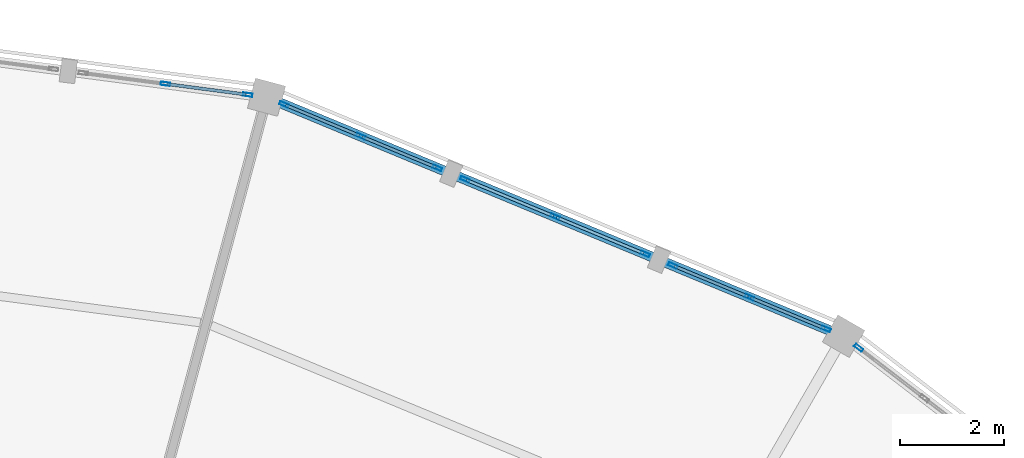
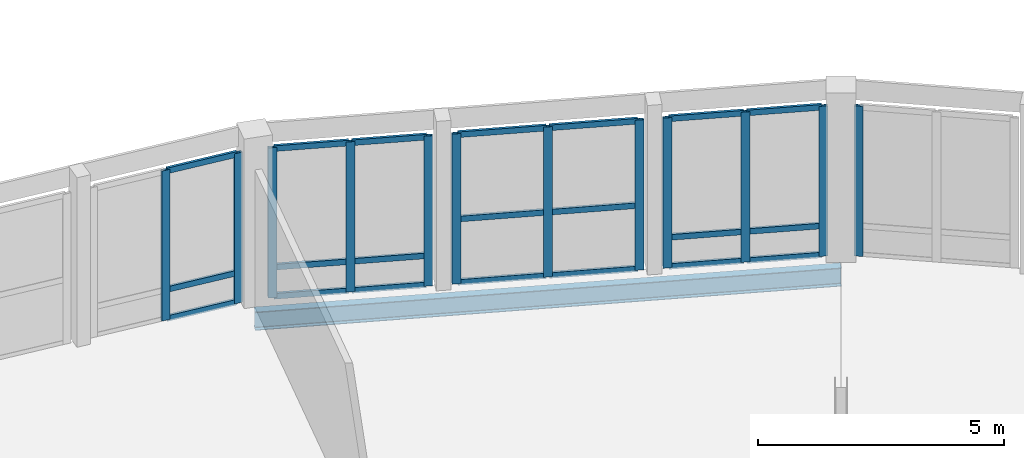
# One storey, part 96 of 185: 33 members, 1 beam, 5 elements without a shape of their own.
"""IFC4 building model written with IfcOpenShell, lengths in metres."""

from ifc_helpers import new_model, si_unit, direction, frame, origin, origin_2d, place, context, subcontext, project, spatial, hollow_rectangle, i_section, extrude, material, material_profile, profile_set, type_object, element, aggregate, save


model = new_model("IFC4")

# Units and contexts
model_context = context("Model", 3, precision=1e-05, world=origin(), true_north=direction((0.0, 1.0)))
body_context = subcontext(model_context, "Body", "Model", "MODEL_VIEW")
ifc_project = project(units=[si_unit("LENGTHUNIT", "METRE"), si_unit("AREAUNIT", "SQUARE_METRE"), si_unit("VOLUMEUNIT", "CUBIC_METRE"), si_unit("PLANEANGLEUNIT", "RADIAN"), si_unit("MASSUNIT", "GRAM", prefix="KILO")], contexts=[model_context])

# Site, building, storey
site_placement = place(None, origin())
site = spatial("IfcSite", under=ifc_project, at=site_placement, CompositionType="ELEMENT")
building_placement = place(site_placement, origin())
building = spatial("IfcBuilding", under=site, at=building_placement, Name="Vondelvale Polytechnic", CompositionType="ELEMENT")
storey_placement = place(building_placement, frame((0.0, 0.0, 9.60009765625)))
storey = spatial("IfcBuildingStorey", under=building, at=storey_placement, Name="L02", CompositionType="ELEMENT", Elevation=9.60009765625)

# Beam
ifc_material_1 = material(Name="Steel 300PLUS (fy = 300 MPa)", Category="steel")
ifc_material_profile_1 = material_profile(ifc_material_1, i_section(OverallWidth=0.18994140625, OverallDepth=0.45703125, WebThickness=0.009033203125, FlangeThickness=0.014404296875, FilletRadius=0.011474609375, at=origin_2d()), Name="460UB74.6")
ifc_profile_set_1 = profile_set([ifc_material_profile_1], Name="Steel 300PLUS (fy = 300 MPa)")
beam_type = type_object("IfcBeamType", Name="BM-UB460", PredefinedType="BEAM", material=ifc_profile_set_1)
beam_placement = place(storey_placement, frame((125.0, 111.837158203125, -0.508544921875), z_axis=(-0.923877323614, 0.382688765072, 0.0), x_axis=(-0.382688765072, -0.923877323614, 0.0)))
element("IfcBeam", 1, at=beam_placement, inside=storey, type_object=beam_type, Name="L02 RB B-13", PredefinedType="BEAM", context=body_context, shape_type="SweptSolid", body=[
    extrude(i_section(OverallWidth=0.18994140625, OverallDepth=0.45703125, WebThickness=0.009033203125, FlangeThickness=0.014404296875, FilletRadius=0.011474609375, at=origin_2d()), origin(), (0.0, 0.0, 1.0), 12.00830078125),
])

# Curtain wall, member
ifc_material_2 = material(Name="Glulam GL18 structural Tasmanian oak (fb = 42 MPa)", Category="wood")
curtain_wall_type = type_object("IfcCurtainWallType", Name="CW-RING-OUTER", PredefinedType="NOTDEFINED", material=ifc_material_2)
curtain_wall_1_placement = place(storey_placement, origin())
curtain_wall_1 = element("IfcCurtainWall", 2, at=curtain_wall_1_placement, inside=storey, type_object=curtain_wall_type, Name="L02 architectural curtain wall CW-04-107", PredefinedType="NOTDEFINED")
ifc_material_3 = material(Name="Anodised extruded aluminium 6063-T6", Category="aluminium")
ifc_material_profile_2 = material_profile(ifc_material_3, hollow_rectangle(XDim=0.06494140625, YDim=0.179931640625, WallThickness=0.00390625, at=origin_2d()), Name="CW-MUL-180x65")
ifc_profile_set_2 = profile_set([ifc_material_profile_2], Name="Anodised extruded aluminium 6063-T6")
member_type_1 = type_object("IfcMemberType", Name="CW-MUL-65x180", PredefinedType="MULLION", material=ifc_profile_set_2)
member_1_placement = place(storey_placement, frame((125.289794921875, 111.614990234375, 0.0), z_axis=(0.0, 0.0, 1.0), x_axis=(-0.608786860133, -0.793333825656, 0.0)))
member_1 = element("IfcMember", 3, at=member_1_placement, type_object=member_type_1, Name="CW-04-107 mullion 3", PredefinedType="MULLION", context=body_context, shape_type="SweptSolid", body=[
    extrude(hollow_rectangle(XDim=0.06494140625, YDim=0.179931640625, WallThickness=0.00390625, at=origin_2d()), origin(), (0.0, 0.0, 1.0), 3.719970703125),
])
aggregate(curtain_wall_1, [member_1])

# Curtain wall, members
curtain_wall_2_placement = place(storey_placement, origin())
curtain_wall_2 = element("IfcCurtainWall", 4, at=curtain_wall_2_placement, inside=storey, type_object=curtain_wall_type, Name="L02 architectural curtain wall CW-04-120", PredefinedType="NOTDEFINED")
member_2_placement = place(storey_placement, frame((124.66259765625, 111.97705078125, 0.0), z_axis=(0.0, 0.0, 1.0), x_axis=(-0.382677394529, -0.923882033442, 0.0)))
member_2 = element("IfcMember", 5, at=member_2_placement, type_object=member_type_1, Name="CW-04-120 mullion 1", PredefinedType="MULLION", context=body_context, shape_type="SweptSolid", body=[
    extrude(hollow_rectangle(XDim=0.06494140625, YDim=0.179931640625, WallThickness=0.00390625, at=origin_2d()), origin(), (0.0, 0.0, 1.0), 3.719970703125),
])
member_3_placement = place(storey_placement, frame((123.18896484375, 112.58740234375, 0.0), z_axis=(0.0, 0.0, 1.0), x_axis=(-0.382677394529, -0.923882033442, 0.0)))
member_3 = element("IfcMember", 6, at=member_3_placement, type_object=member_type_1, Name="CW-04-120 mullion 2", PredefinedType="MULLION", context=body_context, shape_type="SweptSolid", body=[
    extrude(hollow_rectangle(XDim=0.06494140625, YDim=0.179931640625, WallThickness=0.00390625, at=origin_2d()), origin(), (0.0, 0.0, 1.0), 3.719970703125),
])
member_4_placement = place(storey_placement, frame((121.71533203125, 113.19775390625, 0.0), z_axis=(0.0, 0.0, 1.0), x_axis=(-0.382677394529, -0.923882033442, 0.0)))
member_4 = element("IfcMember", 7, at=member_4_placement, type_object=member_type_1, Name="CW-04-120 mullion 3", PredefinedType="MULLION", context=body_context, shape_type="SweptSolid", body=[
    extrude(hollow_rectangle(XDim=0.06494140625, YDim=0.179931640625, WallThickness=0.00390625, at=origin_2d()), origin(), (0.0, 0.0, 1.0), 3.719970703125),
])

curtain_wall_3_placement = place(storey_placement, origin())
curtain_wall_3 = element("IfcCurtainWall", 8, at=curtain_wall_3_placement, inside=storey, type_object=curtain_wall_type, Name="L02 architectural curtain wall CW-04-121", PredefinedType="NOTDEFINED")
member_5_placement = place(storey_placement, frame((121.18408203125, 113.417724609375, 0.0), z_axis=(0.0, 0.0, 1.0), x_axis=(-0.382694599123, -0.92387490701, 0.0)))
member_5 = element("IfcMember", 9, at=member_5_placement, type_object=member_type_1, Name="CW-04-121 mullion 1", PredefinedType="MULLION", context=body_context, shape_type="SweptSolid", body=[
    extrude(hollow_rectangle(XDim=0.06494140625, YDim=0.179931640625, WallThickness=0.00390625, at=origin_2d()), origin(), (0.0, 0.0, 1.0), 3.719970703125),
])
member_6_placement = place(storey_placement, frame((119.452880859375, 114.135009765625, 0.0), z_axis=(0.0, 0.0, 1.0), x_axis=(-0.382694599123, -0.92387490701, 0.0)))
member_6 = element("IfcMember", 10, at=member_6_placement, type_object=member_type_1, Name="CW-04-121 mullion 2", PredefinedType="MULLION", context=body_context, shape_type="SweptSolid", body=[
    extrude(hollow_rectangle(XDim=0.06494140625, YDim=0.179931640625, WallThickness=0.00390625, at=origin_2d()), origin(), (0.0, 0.0, 1.0), 3.719970703125),
])
member_7_placement = place(storey_placement, frame((117.721435546875, 114.85205078125, 0.0), z_axis=(0.0, 0.0, 1.0), x_axis=(-0.382694599123, -0.92387490701, 0.0)))
member_7 = element("IfcMember", 11, at=member_7_placement, type_object=member_type_1, Name="CW-04-121 mullion 3", PredefinedType="MULLION", context=body_context, shape_type="SweptSolid", body=[
    extrude(hollow_rectangle(XDim=0.06494140625, YDim=0.179931640625, WallThickness=0.00390625, at=origin_2d()), origin(), (0.0, 0.0, 1.0), 3.719970703125),
])

curtain_wall_4_placement = place(storey_placement, origin())
curtain_wall_4 = element("IfcCurtainWall", 12, at=curtain_wall_4_placement, inside=storey, type_object=curtain_wall_type, Name="L02 architectural curtain wall CW-04-122", PredefinedType="NOTDEFINED")
member_8_placement = place(storey_placement, frame((117.190185546875, 115.072021484375, 0.0), z_axis=(0.0, 0.0, 1.0), x_axis=(-0.382677394529, -0.923882033442, 0.0)))
member_8 = element("IfcMember", 13, at=member_8_placement, type_object=member_type_1, Name="CW-04-122 mullion 1", PredefinedType="MULLION", context=body_context, shape_type="SweptSolid", body=[
    extrude(hollow_rectangle(XDim=0.06494140625, YDim=0.179931640625, WallThickness=0.00390625, at=origin_2d()), origin(), (0.0, 0.0, 1.0), 3.719970703125),
])
member_9_placement = place(storey_placement, frame((115.716796875, 115.6826171875, 0.0), z_axis=(0.0, 0.0, 1.0), x_axis=(-0.382677394529, -0.923882033442, 0.0)))
member_9 = element("IfcMember", 14, at=member_9_placement, type_object=member_type_1, Name="CW-04-122 mullion 2", PredefinedType="MULLION", context=body_context, shape_type="SweptSolid", body=[
    extrude(hollow_rectangle(XDim=0.06494140625, YDim=0.179931640625, WallThickness=0.00390625, at=origin_2d()), origin(), (0.0, 0.0, 1.0), 3.719970703125),
])
member_10_placement = place(storey_placement, frame((114.2431640625, 116.29296875, 0.0), z_axis=(0.0, 0.0, 1.0), x_axis=(-0.382677394529, -0.923882033442, 0.0)))
member_10 = element("IfcMember", 15, at=member_10_placement, type_object=member_type_1, Name="CW-04-122 mullion 3", PredefinedType="MULLION", context=body_context, shape_type="SweptSolid", body=[
    extrude(hollow_rectangle(XDim=0.06494140625, YDim=0.179931640625, WallThickness=0.00390625, at=origin_2d()), origin(), (0.0, 0.0, 1.0), 3.719970703125),
])

curtain_wall_5_placement = place(storey_placement, origin())
curtain_wall_5 = element("IfcCurtainWall", 16, at=curtain_wall_5_placement, inside=storey, type_object=curtain_wall_type, Name="L02 architectural curtain wall CW-04-140", PredefinedType="NOTDEFINED")
member_11_placement = place(storey_placement, frame((113.54345703125, 116.480224609375, 0.0), z_axis=(0.0, 0.0, 1.0), x_axis=(-0.130539547729, -0.991443102996, 0.0)))
member_11 = element("IfcMember", 17, at=member_11_placement, type_object=member_type_1, Name="CW-04-140 mullion 1", PredefinedType="MULLION", context=body_context, shape_type="SweptSolid", body=[
    extrude(hollow_rectangle(XDim=0.06494140625, YDim=0.179931640625, WallThickness=0.00390625, at=origin_2d()), origin(), (0.0, 0.0, 1.0), 3.719970703125),
])
member_12_placement = place(storey_placement, frame((111.962158203125, 116.6884765625, 0.0), z_axis=(0.0, 0.0, 1.0), x_axis=(-0.130539547729, -0.991443102996, 0.0)))
member_12 = element("IfcMember", 18, at=member_12_placement, type_object=member_type_1, Name="CW-04-140 mullion 2", PredefinedType="MULLION", context=body_context, shape_type="SweptSolid", body=[
    extrude(hollow_rectangle(XDim=0.06494140625, YDim=0.179931640625, WallThickness=0.00390625, at=origin_2d()), origin(), (0.0, 0.0, 1.0), 3.719970703125),
])

# Member
ifc_material_profile_3 = material_profile(ifc_material_3, hollow_rectangle(XDim=0.06005859375, YDim=0.139892578125, WallThickness=0.00341796875, at=origin_2d()), Name="CW-TRN-140x60")
ifc_profile_set_3 = profile_set([ifc_material_profile_3], Name="Anodised extruded aluminium 6063-T6")
member_type_2 = type_object("IfcMemberType", Name="CW-TRN-60x140", PredefinedType="USERDEFINED", material=ifc_profile_set_3)
member_13_placement = place(storey_placement, frame((124.632568359375, 111.9892578125, 0.02978515625), z_axis=(-0.923839843027, 0.382779237206, 0.0), x_axis=(-0.382779237206, -0.923839843027, 0.0)))
member_13 = element("IfcMember", 19, at=member_13_placement, type_object=member_type_2, Name="CW-04-120 transom 1.1", ObjectType="TRANSOM", PredefinedType="USERDEFINED", context=body_context, shape_type="SweptSolid", body=[
    extrude(hollow_rectangle(XDim=0.06005859375, YDim=0.139892578125, WallThickness=0.00341796875, at=origin_2d()), origin(), (0.0, 0.0, 1.0), 1.530029296875),
])

member_14_placement = place(storey_placement, frame((124.632568359375, 111.9892578125, 0.75), z_axis=(-0.923839843027, 0.382779237206, 0.0), x_axis=(-0.382779237206, -0.923839843027, 0.0)))
member_14 = element("IfcMember", 20, at=member_14_placement, type_object=member_type_2, Name="CW-04-120 transom 1.2", ObjectType="TRANSOM", PredefinedType="USERDEFINED", context=body_context, shape_type="SweptSolid", body=[
    extrude(hollow_rectangle(XDim=0.06005859375, YDim=0.139892578125, WallThickness=0.00341796875, at=origin_2d()), origin(), (0.0, 0.0, 1.0), 1.530029296875),
])

member_15_placement = place(storey_placement, frame((124.632568359375, 111.9892578125, 3.68994140625), z_axis=(-0.923839843027, 0.382779237206, 0.0), x_axis=(-0.382779237206, -0.923839843027, 0.0)))
member_15 = element("IfcMember", 21, at=member_15_placement, type_object=member_type_2, Name="CW-04-120 transom 1.3", ObjectType="TRANSOM", PredefinedType="USERDEFINED", context=body_context, shape_type="SweptSolid", body=[
    extrude(hollow_rectangle(XDim=0.06005859375, YDim=0.139892578125, WallThickness=0.00341796875, at=origin_2d()), origin(), (0.0, 0.0, 1.0), 1.530029296875),
])

member_16_placement = place(storey_placement, frame((123.158935546875, 112.599853515625, 0.02978515625), z_axis=(-0.923896260346, 0.382643045304, 0.0), x_axis=(-0.382643045304, -0.923896260346, 0.0)))
member_16 = element("IfcMember", 22, at=member_16_placement, type_object=member_type_2, Name="CW-04-120 transom 2.1", ObjectType="TRANSOM", PredefinedType="USERDEFINED", context=body_context, shape_type="SweptSolid", body=[
    extrude(hollow_rectangle(XDim=0.06005859375, YDim=0.139892578125, WallThickness=0.00341796875, at=origin_2d()), origin(), (0.0, 0.0, 1.0), 1.530029296875),
])

member_17_placement = place(storey_placement, frame((123.158935546875, 112.599853515625, 0.75), z_axis=(-0.923896260346, 0.382643045304, 0.0), x_axis=(-0.382643045304, -0.923896260346, 0.0)))
member_17 = element("IfcMember", 23, at=member_17_placement, type_object=member_type_2, Name="CW-04-120 transom 2.2", ObjectType="TRANSOM", PredefinedType="USERDEFINED", context=body_context, shape_type="SweptSolid", body=[
    extrude(hollow_rectangle(XDim=0.06005859375, YDim=0.139892578125, WallThickness=0.00341796875, at=origin_2d()), origin(), (0.0, 0.0, 1.0), 1.530029296875),
])

member_18_placement = place(storey_placement, frame((123.158935546875, 112.599853515625, 3.68994140625), z_axis=(-0.923896260346, 0.382643045304, 0.0), x_axis=(-0.382643045304, -0.923896260346, 0.0)))
member_18 = element("IfcMember", 24, at=member_18_placement, type_object=member_type_2, Name="CW-04-120 transom 2.3", ObjectType="TRANSOM", PredefinedType="USERDEFINED", context=body_context, shape_type="SweptSolid", body=[
    extrude(hollow_rectangle(XDim=0.06005859375, YDim=0.139892578125, WallThickness=0.00341796875, at=origin_2d()), origin(), (0.0, 0.0, 1.0), 1.530029296875),
])

aggregate(curtain_wall_2, [member_2, member_3, member_4, member_13, member_14, member_15, member_16, member_17, member_18])

member_19_placement = place(storey_placement, frame((121.154052734375, 113.43017578125, 0.02978515625), z_axis=(-0.92384573676, 0.382765012338, 0.0), x_axis=(-0.382765012338, -0.92384573676, 0.0)))
member_19 = element("IfcMember", 25, at=member_19_placement, type_object=member_type_2, Name="CW-04-121 transom 1.1", ObjectType="TRANSOM", PredefinedType="USERDEFINED", context=body_context, shape_type="SweptSolid", body=[
    extrude(hollow_rectangle(XDim=0.06005859375, YDim=0.139892578125, WallThickness=0.00341796875, at=origin_2d()), origin(), (0.0, 0.0, 1.0), 1.808837890625),
])

member_20_placement = place(storey_placement, frame((121.154052734375, 113.43017578125, 1.599853515625), z_axis=(-0.92384573676, 0.382765012338, 0.0), x_axis=(-0.382765012338, -0.92384573676, 0.0)))
member_20 = element("IfcMember", 26, at=member_20_placement, type_object=member_type_2, Name="CW-04-121 transom 1.2", ObjectType="TRANSOM", PredefinedType="USERDEFINED", context=body_context, shape_type="SweptSolid", body=[
    extrude(hollow_rectangle(XDim=0.06005859375, YDim=0.139892578125, WallThickness=0.00341796875, at=origin_2d()), origin(), (0.0, 0.0, 1.0), 1.808837890625),
])

member_21_placement = place(storey_placement, frame((121.154052734375, 113.43017578125, 3.68994140625), z_axis=(-0.92384573676, 0.382765012338, 0.0), x_axis=(-0.382765012338, -0.92384573676, 0.0)))
member_21 = element("IfcMember", 27, at=member_21_placement, type_object=member_type_2, Name="CW-04-121 transom 1.3", ObjectType="TRANSOM", PredefinedType="USERDEFINED", context=body_context, shape_type="SweptSolid", body=[
    extrude(hollow_rectangle(XDim=0.06005859375, YDim=0.139892578125, WallThickness=0.00341796875, at=origin_2d()), origin(), (0.0, 0.0, 1.0), 1.808837890625),
])

member_22_placement = place(storey_placement, frame((119.4228515625, 114.147216796875, 0.02978515625), z_axis=(-0.923865506878, 0.382717291485, 0.0), x_axis=(-0.382717291485, -0.923865506878, 0.0)))
member_22 = element("IfcMember", 28, at=member_22_placement, type_object=member_type_2, Name="CW-04-121 transom 2.1", ObjectType="TRANSOM", PredefinedType="USERDEFINED", context=body_context, shape_type="SweptSolid", body=[
    extrude(hollow_rectangle(XDim=0.06005859375, YDim=0.139892578125, WallThickness=0.00341796875, at=origin_2d()), origin(), (0.0, 0.0, 1.0), 1.80908203125),
])

member_23_placement = place(storey_placement, frame((119.4228515625, 114.147216796875, 1.599853515625), z_axis=(-0.923865506878, 0.382717291485, 0.0), x_axis=(-0.382717291485, -0.923865506878, 0.0)))
member_23 = element("IfcMember", 29, at=member_23_placement, type_object=member_type_2, Name="CW-04-121 transom 2.2", ObjectType="TRANSOM", PredefinedType="USERDEFINED", context=body_context, shape_type="SweptSolid", body=[
    extrude(hollow_rectangle(XDim=0.06005859375, YDim=0.139892578125, WallThickness=0.00341796875, at=origin_2d()), origin(), (0.0, 0.0, 1.0), 1.80908203125),
])

member_24_placement = place(storey_placement, frame((119.4228515625, 114.147216796875, 3.68994140625), z_axis=(-0.923865506878, 0.382717291485, 0.0), x_axis=(-0.382717291485, -0.923865506878, 0.0)))
member_24 = element("IfcMember", 30, at=member_24_placement, type_object=member_type_2, Name="CW-04-121 transom 2.3", ObjectType="TRANSOM", PredefinedType="USERDEFINED", context=body_context, shape_type="SweptSolid", body=[
    extrude(hollow_rectangle(XDim=0.06005859375, YDim=0.139892578125, WallThickness=0.00341796875, at=origin_2d()), origin(), (0.0, 0.0, 1.0), 1.80908203125),
])

aggregate(curtain_wall_3, [member_5, member_6, member_7, member_19, member_20, member_21, member_22, member_23, member_24])

member_25_placement = place(storey_placement, frame((117.16015625, 115.08447265625, 0.02978515625), z_axis=(-0.923816459452, 0.382835668721, 0.0), x_axis=(-0.382835668721, -0.923816459452, 0.0)))
member_25 = element("IfcMember", 31, at=member_25_placement, type_object=member_type_2, Name="CW-04-122 transom 1.1", ObjectType="TRANSOM", PredefinedType="USERDEFINED", context=body_context, shape_type="SweptSolid", body=[
    extrude(hollow_rectangle(XDim=0.06005859375, YDim=0.139892578125, WallThickness=0.00341796875, at=origin_2d()), origin(), (0.0, 0.0, 1.0), 1.52978515625),
])

member_26_placement = place(storey_placement, frame((117.16015625, 115.08447265625, 0.75), z_axis=(-0.923816459452, 0.382835668721, 0.0), x_axis=(-0.382835668721, -0.923816459452, 0.0)))
member_26 = element("IfcMember", 32, at=member_26_placement, type_object=member_type_2, Name="CW-04-122 transom 1.2", ObjectType="TRANSOM", PredefinedType="USERDEFINED", context=body_context, shape_type="SweptSolid", body=[
    extrude(hollow_rectangle(XDim=0.06005859375, YDim=0.139892578125, WallThickness=0.00341796875, at=origin_2d()), origin(), (0.0, 0.0, 1.0), 1.52978515625),
])

member_27_placement = place(storey_placement, frame((117.16015625, 115.08447265625, 3.68994140625), z_axis=(-0.923816459452, 0.382835668721, 0.0), x_axis=(-0.382835668721, -0.923816459452, 0.0)))
member_27 = element("IfcMember", 33, at=member_27_placement, type_object=member_type_2, Name="CW-04-122 transom 1.3", ObjectType="TRANSOM", PredefinedType="USERDEFINED", context=body_context, shape_type="SweptSolid", body=[
    extrude(hollow_rectangle(XDim=0.06005859375, YDim=0.139892578125, WallThickness=0.00341796875, at=origin_2d()), origin(), (0.0, 0.0, 1.0), 1.52978515625),
])

member_28_placement = place(storey_placement, frame((115.686767578125, 115.69482421875, 0.02978515625), z_axis=(-0.923839843027, 0.382779237206, 0.0), x_axis=(-0.382779237206, -0.923839843027, 0.0)))
member_28 = element("IfcMember", 34, at=member_28_placement, type_object=member_type_2, Name="CW-04-122 transom 2.1", ObjectType="TRANSOM", PredefinedType="USERDEFINED", context=body_context, shape_type="SweptSolid", body=[
    extrude(hollow_rectangle(XDim=0.06005859375, YDim=0.139892578125, WallThickness=0.00341796875, at=origin_2d()), origin(), (0.0, 0.0, 1.0), 1.530029296875),
])

member_29_placement = place(storey_placement, frame((115.686767578125, 115.69482421875, 0.75), z_axis=(-0.923839843027, 0.382779237206, 0.0), x_axis=(-0.382779237206, -0.923839843027, 0.0)))
member_29 = element("IfcMember", 35, at=member_29_placement, type_object=member_type_2, Name="CW-04-122 transom 2.2", ObjectType="TRANSOM", PredefinedType="USERDEFINED", context=body_context, shape_type="SweptSolid", body=[
    extrude(hollow_rectangle(XDim=0.06005859375, YDim=0.139892578125, WallThickness=0.00341796875, at=origin_2d()), origin(), (0.0, 0.0, 1.0), 1.530029296875),
])

member_30_placement = place(storey_placement, frame((115.686767578125, 115.69482421875, 3.68994140625), z_axis=(-0.923839843027, 0.382779237206, 0.0), x_axis=(-0.382779237206, -0.923839843027, 0.0)))
member_30 = element("IfcMember", 36, at=member_30_placement, type_object=member_type_2, Name="CW-04-122 transom 2.3", ObjectType="TRANSOM", PredefinedType="USERDEFINED", context=body_context, shape_type="SweptSolid", body=[
    extrude(hollow_rectangle(XDim=0.06005859375, YDim=0.139892578125, WallThickness=0.00341796875, at=origin_2d()), origin(), (0.0, 0.0, 1.0), 1.530029296875),
])

aggregate(curtain_wall_4, [member_8, member_9, member_10, member_25, member_26, member_27, member_28, member_29, member_30])

member_31_placement = place(storey_placement, frame((113.511474609375, 116.484375, 0.02978515625), z_axis=(-0.99142603388, 0.13066912162, 0.0), x_axis=(-0.13066912162, -0.99142603388, 0.0)))
member_31 = element("IfcMember", 37, at=member_31_placement, type_object=member_type_2, Name="CW-04-140 transom 1.1", ObjectType="TRANSOM", PredefinedType="USERDEFINED", context=body_context, shape_type="SweptSolid", body=[
    extrude(hollow_rectangle(XDim=0.06005859375, YDim=0.139892578125, WallThickness=0.00341796875, at=origin_2d()), origin(), (0.0, 0.0, 1.0), 1.5302734375),
])

member_32_placement = place(storey_placement, frame((113.511474609375, 116.484375, 0.75), z_axis=(-0.99142603388, 0.13066912162, 0.0), x_axis=(-0.13066912162, -0.99142603388, 0.0)))
member_32 = element("IfcMember", 38, at=member_32_placement, type_object=member_type_2, Name="CW-04-140 transom 1.2", ObjectType="TRANSOM", PredefinedType="USERDEFINED", context=body_context, shape_type="SweptSolid", body=[
    extrude(hollow_rectangle(XDim=0.06005859375, YDim=0.139892578125, WallThickness=0.00341796875, at=origin_2d()), origin(), (0.0, 0.0, 1.0), 1.5302734375),
])

member_33_placement = place(storey_placement, frame((113.511474609375, 116.484375, 3.68994140625), z_axis=(-0.99142603388, 0.13066912162, 0.0), x_axis=(-0.13066912162, -0.99142603388, 0.0)))
member_33 = element("IfcMember", 39, at=member_33_placement, type_object=member_type_2, Name="CW-04-140 transom 1.3", ObjectType="TRANSOM", PredefinedType="USERDEFINED", context=body_context, shape_type="SweptSolid", body=[
    extrude(hollow_rectangle(XDim=0.06005859375, YDim=0.139892578125, WallThickness=0.00341796875, at=origin_2d()), origin(), (0.0, 0.0, 1.0), 1.5302734375),
])

aggregate(curtain_wall_5, [member_11, member_12, member_31, member_32, member_33])

save(model, "model.ifc")
